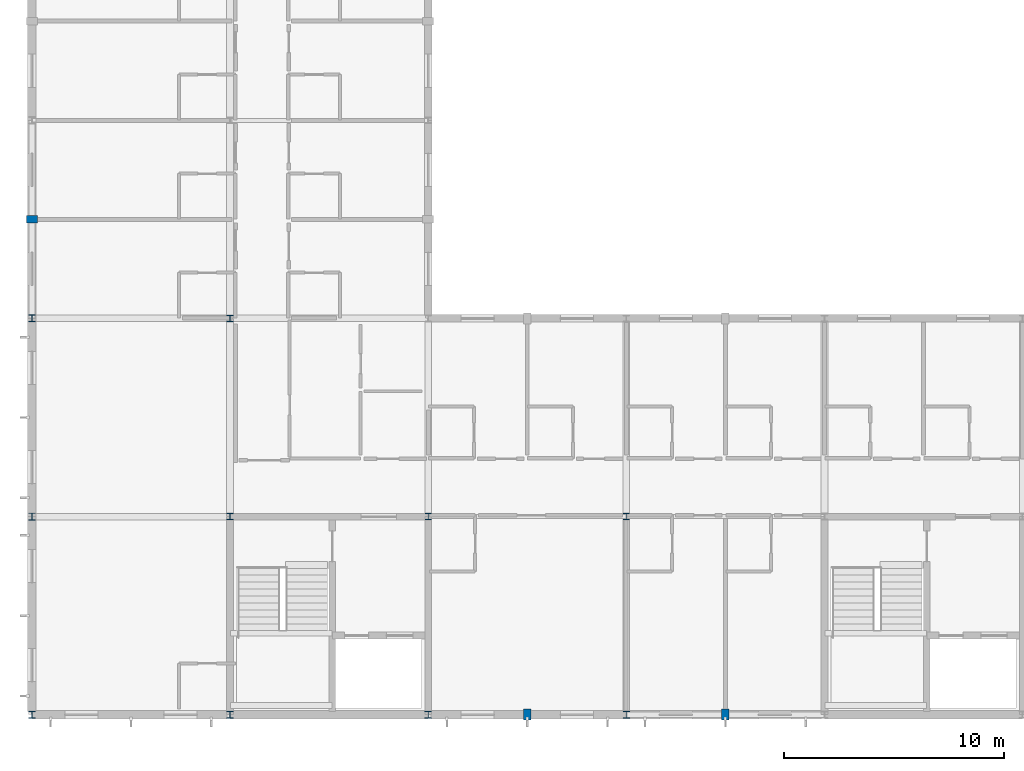
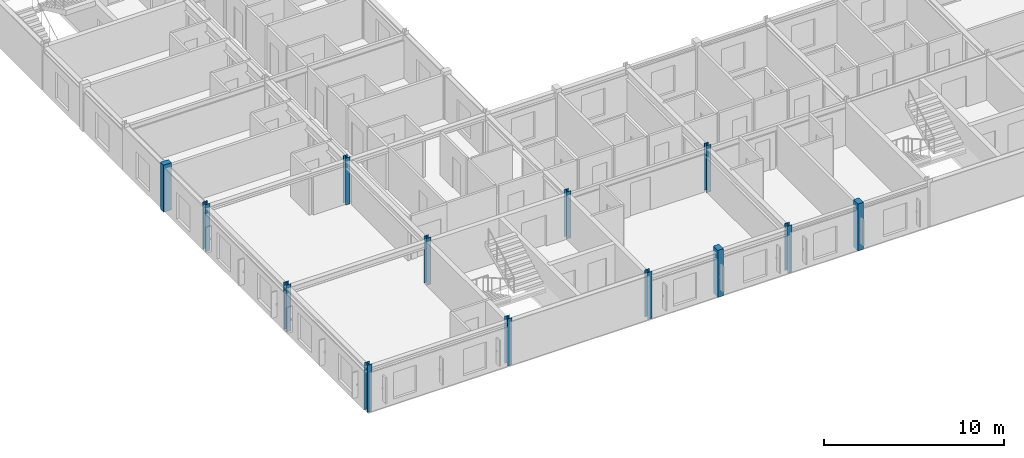
# One storey, part 1 of 18: 13 columns.
"""IFC4 building model written with IfcOpenShell, lengths in metres."""

from ifc_helpers import new_model, si_unit, direction, frame, origin, origin_2d, place, context, subcontext, project, spatial, rectangle, i_section, extrude, material, material_profile, profile_set, type_object, element, save


model = new_model("IFC4")

# Units and contexts
model_context = context("Model", 3, precision=1e-05, world=origin(), true_north=direction((0.0, 1.0)))
body_context = subcontext(model_context, "Body", "Model", "MODEL_VIEW")
ifc_project = project(units=[si_unit("LENGTHUNIT", "METRE"), si_unit("AREAUNIT", "SQUARE_METRE"), si_unit("VOLUMEUNIT", "CUBIC_METRE"), si_unit("PLANEANGLEUNIT", "RADIAN"), si_unit("MASSUNIT", "GRAM", prefix="KILO")], contexts=[model_context])

# Site, building, storey
site_placement = place(None, origin())
site = spatial("IfcSite", under=ifc_project, at=site_placement, CompositionType="ELEMENT")
building_placement = place(site_placement, origin())
building = spatial("IfcBuilding", under=site, at=building_placement, Name="Palais des Congres Ocreval", CompositionType="ELEMENT")
storey_placement = place(building_placement, frame((0.0, 0.0, 23.679931640625)))
storey = spatial("IfcBuildingStorey", under=building, at=storey_placement, Name="L07", CompositionType="ELEMENT", Elevation=23.679931640625)

# Columns
ifc_material_1 = material(Name="Steel S355", Category="steel")
ifc_material_profile_1 = material_profile(ifc_material_1, i_section(OverallWidth=0.280029296875, OverallDepth=0.280029296875, WebThickness=0.010498046875, FlangeThickness=0.01806640625, at=origin_2d()), Name="HEB 280")
ifc_profile_set_1 = profile_set([ifc_material_profile_1], Name="Steel S355")
column_type_1 = type_object("IfcColumnType", Name="Column HEB 280 Steel S355", PredefinedType="COLUMN", material=ifc_profile_set_1)
for number, where, z_axis, x_axis, name in (
    (1, (9.0, 9.0, 0.0), (0.0, 0.0, 1.0), (1.0, 0.0, 0.0), "Column C13 L07"),
    (2, (9.0, 18.0, 0.0), (0.0, 0.0, 1.0), (1.0, 0.0, 0.0), "Column C13 L07"),
    (3, (18.0, 9.0, 0.0), (0.0, 0.0, 1.0), (1.0, 0.0, 0.0), "Column C13 L07"),
    (4, (27.0, 9.0, 0.0), (0.0, 0.0, 1.0), (1.0, 0.0, 0.0), "Column C13 L07"),
):
    element("IfcColumn", number, at=place(storey_placement, frame(where, z_axis=z_axis, x_axis=x_axis)), inside=storey, type_object=column_type_1, Name=name, PredefinedType="COLUMN", context=body_context, shape_type="SweptSolid", body=[
        extrude(i_section(OverallWidth=0.280029296875, OverallDepth=0.280029296875, WebThickness=0.010498046875, FlangeThickness=0.01806640625, at=origin_2d()), origin(), (0.0, 0.0, 1.0), 3.199951171875),
    ])
ifc_material_profile_2 = material_profile(ifc_material_1, i_section(OverallWidth=0.300048828125, OverallDepth=0.320068359375, WebThickness=0.011474609375, FlangeThickness=0.0205078125, at=origin_2d()), Name="HEB 320")
ifc_profile_set_2 = profile_set([ifc_material_profile_2], Name="Steel S355")
column_type_2 = type_object("IfcColumnType", Name="Column HEB 320 Steel S355", PredefinedType="COLUMN", material=ifc_profile_set_2)
for number, where, z_axis, x_axis, name in (
    (5, (0.0, 0.0, 0.0), (0.0, 0.0, 1.0), (1.0, 0.0, 0.0), "Column C12 L07"),
    (6, (0.0, 9.0, 0.0), (0.0, 0.0, 1.0), (1.0, 0.0, 0.0), "Column C12 L07"),
    (7, (0.0, 18.0, 0.0), (0.0, 0.0, 1.0), (1.0, 0.0, 0.0), "Column C12 L07"),
    (8, (9.0, 0.0, 0.0), (0.0, 0.0, 1.0), (1.0, 0.0, 0.0), "Column C12 L07"),
    (9, (18.0, 0.0, 0.0), (0.0, 0.0, 1.0), (1.0, 0.0, 0.0), "Column C12 L07"),
    (10, (27.0, 0.0, 0.0), (0.0, 0.0, 1.0), (1.0, 0.0, 0.0), "Column C12 L07"),
):
    element("IfcColumn", number, at=place(storey_placement, frame(where, z_axis=z_axis, x_axis=x_axis)), inside=storey, type_object=column_type_2, Name=name, PredefinedType="COLUMN", context=body_context, shape_type="SweptSolid", body=[
        extrude(i_section(OverallWidth=0.300048828125, OverallDepth=0.320068359375, WebThickness=0.011474609375, FlangeThickness=0.0205078125, at=origin_2d()), origin(), (0.0, 0.0, 1.0), 3.199951171875),
    ])
ifc_material_2 = material(Name="Concrete C40/50", Category="concrete")
ifc_material_profile_3 = material_profile(ifc_material_2, rectangle(XDim=0.35009765625, YDim=0.5, at=origin_2d()), Name="RC 350x500")
ifc_profile_set_3 = profile_set([ifc_material_profile_3], Name="Concrete C40/50")
column_type_3 = type_object("IfcColumnType", Name="Pilaster RC 350x500 Concrete C40/50", PredefinedType="PILASTER", material=ifc_profile_set_3)
for number, where, z_axis, x_axis, name in (
    (11, (22.5, 0.0, 0.0), (0.0, 0.0, 1.0), (1.0, 0.0, 0.0), "Perimeter Pilaster PL03 L07"),
    (12, (31.5, 0.0, 0.0), (0.0, 0.0, 1.0), (1.0, 0.0, 0.0), "Perimeter Pilaster PL03 L07"),
    (13, (0.0, 22.5, 0.0), (0.0, 0.0, 1.0), (0.0, 1.0, 0.0), "Perimeter Pilaster PL03 L07"),
):
    element("IfcColumn", number, at=place(storey_placement, frame(where, z_axis=z_axis, x_axis=x_axis)), inside=storey, type_object=column_type_3, Name=name, PredefinedType="PILASTER", context=body_context, shape_type="SweptSolid", body=[
        extrude(rectangle(XDim=0.35009765625, YDim=0.5, at=origin_2d()), origin(), (0.0, 0.0, 1.0), 3.199951171875),
    ])

save(model, "model.ifc")
